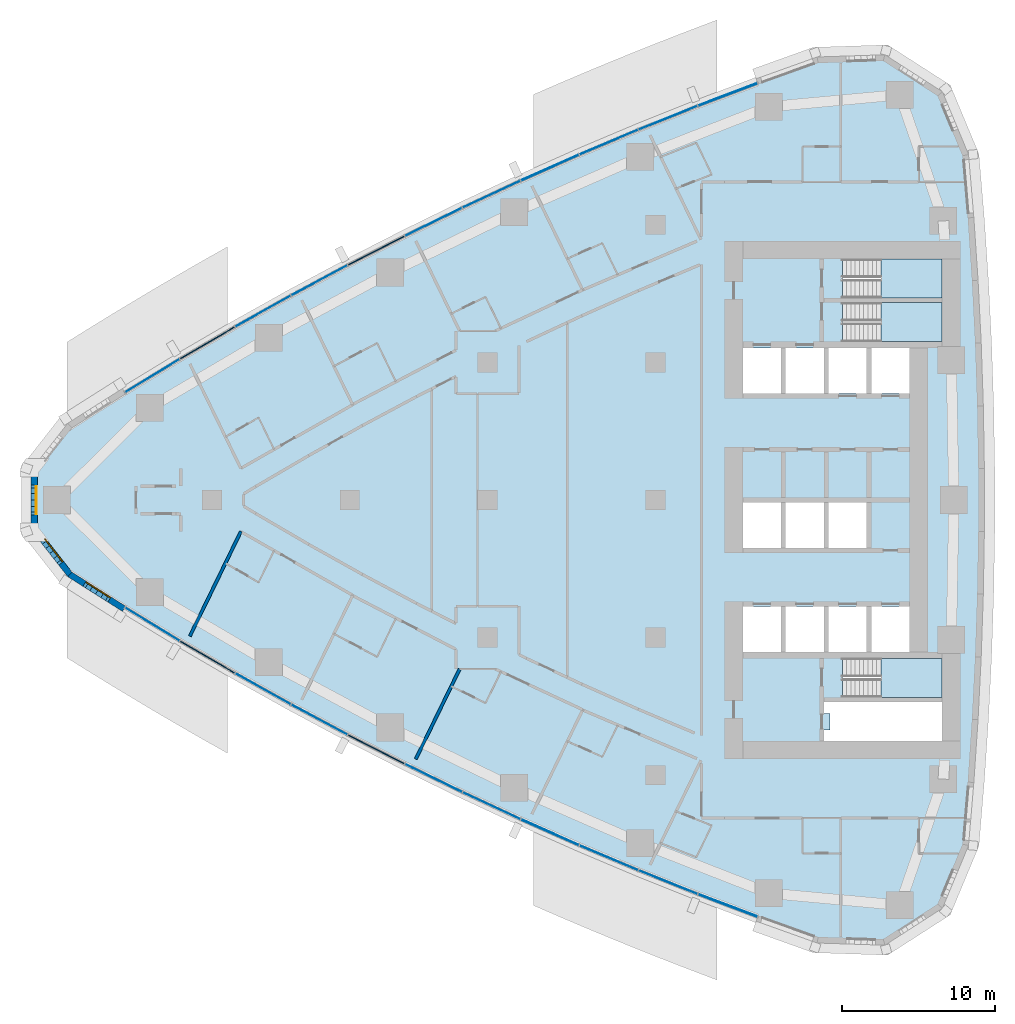
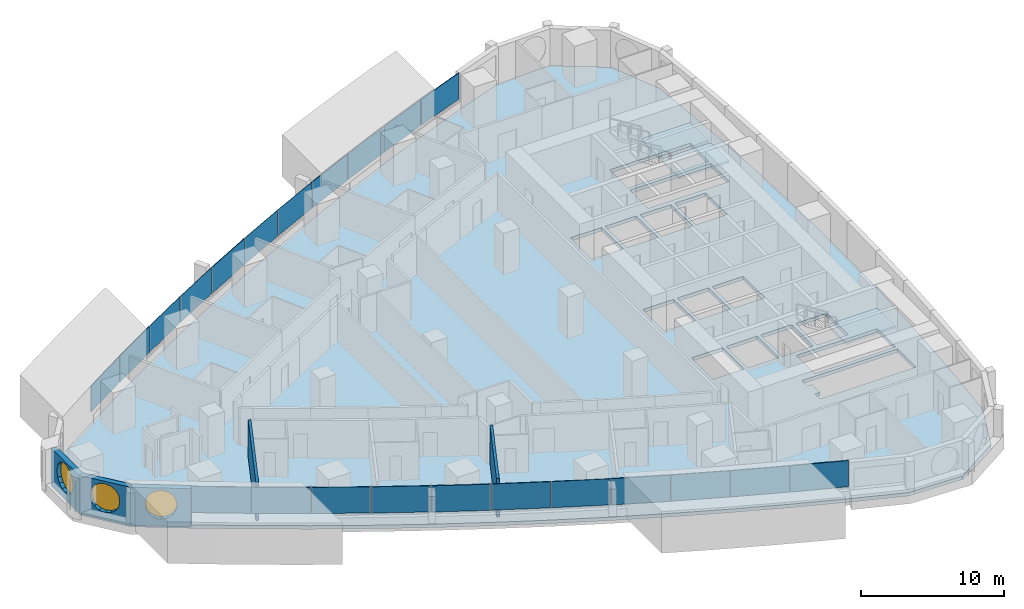
# One storey, part 8 of 19: 22 plates, 5 walls, 4 slabs, 3 windows, 4 openings, 13 elements without a shape of their own.
"""IFC4 building model written with IfcOpenShell, lengths in metres."""

from ifc_helpers import new_model, si_unit, direction, frame, frame_2d, origin, origin_2d, place, context, subcontext, project, spatial, polyline, rectangle, outline, extrude, material, layer, layer_set, type_object, element, fill, aggregate, save


model = new_model("IFC4")

# Units and contexts
model_context = context("Model", 3, precision=1e-05, world=origin(), true_north=direction((0.0, 1.0)))
body_context = subcontext(model_context, "Body", "Model", "MODEL_VIEW")
ifc_project = project(units=[si_unit("LENGTHUNIT", "METRE"), si_unit("AREAUNIT", "SQUARE_METRE"), si_unit("VOLUMEUNIT", "CUBIC_METRE"), si_unit("PLANEANGLEUNIT", "RADIAN"), si_unit("MASSUNIT", "GRAM", prefix="KILO")], contexts=[model_context])

# Site, building, storey
site_placement = place(None, origin())
site = spatial("IfcSite", under=ifc_project, at=site_placement, CompositionType="ELEMENT")
building_placement = place(site_placement, origin())
building = spatial("IfcBuilding", under=site, at=building_placement, Name="Ostrand Prow Hotel Tower", CompositionType="ELEMENT")
storey_placement = place(building_placement, frame((0.0, 0.0, 53.800048828125)))
storey = spatial("IfcBuildingStorey", under=building, at=storey_placement, Name="L11", CompositionType="ELEMENT", Elevation=53.800048828125)

# Curtain wall, plate
ifc_material_1 = material(Name="Insulated glass in bronze anodised frame", Category="glass")
ifc_layer_1 = layer(ifc_material_1, 0.199951171875)
ifc_layer_set_1 = layer_set([ifc_layer_1], Name="Insulated glass in bronze anodised frame")
curtain_wall_type = type_object("IfcCurtainWallType", Name="Strip curtain wall, fritted glass over bronze spandrel", PredefinedType="NOTDEFINED", material=ifc_layer_set_1)
curtain_wall_1_placement = place(storey_placement, origin())
curtain_wall_1 = element("IfcCurtainWall", 1, at=curtain_wall_1_placement, inside=storey, type_object=curtain_wall_type, Name="CW1 run CWS1", PredefinedType="NOTDEFINED")
ifc_material_2 = material(Name="Ceramic-fritted glass", Category="glass")
ifc_layer_2 = layer(ifc_material_2, 0.031982421875)
ifc_layer_set_2 = layer_set([ifc_layer_2], Name="Ceramic-fritted glass")
plate_type_1 = type_object("IfcPlateType", Name="Dot-fritted ceramic glass unit 32 mm", PredefinedType="CURTAIN_PANEL", material=ifc_layer_set_2)
plate_1_placement = place(storey_placement, frame((12.0859375, -8.12158203125, 1.02001953125), z_axis=(0.0, 0.0, 1.0), x_axis=(0.854269266322, -0.519830761515, 0.0)))
plate_1 = element("IfcPlate", 2, at=plate_1_placement, type_object=plate_type_1, Name="CW1 PN-D panel 1.2", PredefinedType="CURTAIN_PANEL", context=body_context, shape_type="SweptSolid", body=[
    extrude(rectangle(XDim=4.13427734375, YDim=0.031982421875, at=origin_2d()), origin(), (0.0, 0.0, 1.0), 2.22998046875),
])

# Curtain wall, plates
curtain_wall_2_placement = place(storey_placement, origin())
curtain_wall_2 = element("IfcCurtainWall", 3, at=curtain_wall_2_placement, inside=storey, type_object=curtain_wall_type, Name="CW1 run CWS2", PredefinedType="NOTDEFINED")
plate_2_placement = place(storey_placement, frame((19.33056640625, -12.349365234375, 1.02001953125), z_axis=(0.0, 0.0, 1.0), x_axis=(0.872819029241, -0.488043996167, 0.0)))
plate_2 = element("IfcPlate", 4, at=plate_2_placement, type_object=plate_type_1, Name="CW1 PN-D panel 1.2", PredefinedType="CURTAIN_PANEL", context=body_context, shape_type="SweptSolid", body=[
    extrude(rectangle(XDim=4.13427734375, YDim=0.031982421875, at=origin_2d()), origin(), (0.0, 0.0, 1.0), 2.22998046875),
])
plate_3_placement = place(storey_placement, frame((23.009765625, -14.362548828125, 1.02001953125), z_axis=(0.0, 0.0, 1.0), x_axis=(0.881652083929, -0.471899992481, 0.0)))
plate_3 = element("IfcPlate", 5, at=plate_3_placement, type_object=plate_type_1, Name="CW1 PN-D panel 2.2", PredefinedType="CURTAIN_PANEL", context=body_context, shape_type="SweptSolid", body=[
    extrude(rectangle(XDim=4.13427734375, YDim=0.031982421875, at=origin_2d()), origin(), (0.0, 0.0, 1.0), 2.22998046875),
])

curtain_wall_3_placement = place(storey_placement, origin())
curtain_wall_3 = element("IfcCurtainWall", 6, at=curtain_wall_3_placement, inside=storey, type_object=curtain_wall_type, Name="CW1 run CWS3", PredefinedType="NOTDEFINED")
plate_4_placement = place(storey_placement, frame((30.4765625, -18.183837890625, 1.02001953125), z_axis=(0.0, 0.0, 1.0), x_axis=(0.898419584131, -0.439138077204, 0.0)))
plate_4 = element("IfcPlate", 7, at=plate_4_placement, type_object=plate_type_1, Name="CW1 PN-D panel 1.2", PredefinedType="CURTAIN_PANEL", context=body_context, shape_type="SweptSolid", body=[
    extrude(rectangle(XDim=4.13427734375, YDim=0.031982421875, at=origin_2d()), origin(), (0.0, 0.0, 1.0), 2.22998046875),
])
plate_5_placement = place(storey_placement, frame((34.26123046875, -19.990966796875, 1.02001953125), z_axis=(0.0, 0.0, 1.0), x_axis=(0.906349088757, -0.422529678615, 0.0)))
plate_5 = element("IfcPlate", 8, at=plate_5_placement, type_object=plate_type_1, Name="CW1 PN-D panel 2.2", PredefinedType="CURTAIN_PANEL", context=body_context, shape_type="SweptSolid", body=[
    extrude(rectangle(XDim=4.13427734375, YDim=0.031982421875, at=origin_2d()), origin(), (0.0, 0.0, 1.0), 2.22998046875),
])
aggregate(curtain_wall_3, [plate_4, plate_5])

# Curtain wall, plate
curtain_wall_4_placement = place(storey_placement, origin())
curtain_wall_4 = element("IfcCurtainWall", 9, at=curtain_wall_4_placement, inside=storey, type_object=curtain_wall_type, Name="CW1 run CWS4", PredefinedType="NOTDEFINED")
plate_6_placement = place(storey_placement, frame((41.927490234375, -23.39453125, 1.02001953125), z_axis=(0.0, 0.0, 1.0), x_axis=(0.921283173987, -0.388892418709, 0.0)))
plate_6 = element("IfcPlate", 10, at=plate_6_placement, type_object=plate_type_1, Name="CW1 PN-D panel 2.2", PredefinedType="CURTAIN_PANEL", context=body_context, shape_type="SweptSolid", body=[
    extrude(rectangle(XDim=4.13427734375, YDim=0.031982421875, at=origin_2d()), origin(), (0.0, 0.0, 1.0), 2.22998046875),
])

curtain_wall_5_placement = place(storey_placement, origin())
curtain_wall_5 = element("IfcCurtainWall", 11, at=curtain_wall_5_placement, inside=storey, type_object=curtain_wall_type, Name="CW1 run CWS5", PredefinedType="NOTDEFINED")
plate_7_placement = place(storey_placement, frame((45.806396484375, -24.989990234375, 1.02001953125), z_axis=(0.0, 0.0, 1.0), x_axis=(0.928283463577, -0.371873380669, 0.0)))
plate_7 = element("IfcPlate", 12, at=plate_7_placement, type_object=plate_type_1, Name="CW1 PN-D panel 1.2", PredefinedType="CURTAIN_PANEL", context=body_context, shape_type="SweptSolid", body=[
    extrude(rectangle(XDim=4.13427734375, YDim=0.031982421875, at=origin_2d()), origin(), (0.0, 0.0, 1.0), 2.22998046875),
])

curtain_wall_6_placement = place(storey_placement, origin())
curtain_wall_6 = element("IfcCurtainWall", 13, at=curtain_wall_6_placement, inside=storey, type_object=curtain_wall_type, Name="CW1 run CWN1", PredefinedType="NOTDEFINED")
plate_8_placement = place(storey_placement, frame((45.806396484375, 24.989990234375, 1.02001953125), z_axis=(0.0, 0.0, 1.0), x_axis=(-0.928283463577, -0.371873380669, 0.0)))
plate_8 = element("IfcPlate", 14, at=plate_8_placement, type_object=plate_type_1, Name="CW1 PN-D panel 2.2", PredefinedType="CURTAIN_PANEL", context=body_context, shape_type="SweptSolid", body=[
    extrude(rectangle(XDim=4.13427734375, YDim=0.031982421875, at=origin_2d()), origin(), (0.0, 0.0, 1.0), 2.22998046875),
])

curtain_wall_7_placement = place(storey_placement, origin())
curtain_wall_7 = element("IfcCurtainWall", 15, at=curtain_wall_7_placement, inside=storey, type_object=curtain_wall_type, Name="CW1 run CWN2", PredefinedType="NOTDEFINED")
plate_9_placement = place(storey_placement, frame((41.927490234375, 23.39453125, 1.02001953125), z_axis=(0.0, 0.0, 1.0), x_axis=(-0.921283173987, -0.388892418709, 0.0)))
plate_9 = element("IfcPlate", 16, at=plate_9_placement, type_object=plate_type_1, Name="CW1 PN-D panel 1.2", PredefinedType="CURTAIN_PANEL", context=body_context, shape_type="SweptSolid", body=[
    extrude(rectangle(XDim=4.13427734375, YDim=0.031982421875, at=origin_2d()), origin(), (0.0, 0.0, 1.0), 2.22998046875),
])

# Curtain wall, plates
curtain_wall_8_placement = place(storey_placement, origin())
curtain_wall_8 = element("IfcCurtainWall", 17, at=curtain_wall_8_placement, inside=storey, type_object=curtain_wall_type, Name="CW1 run CWN3", PredefinedType="NOTDEFINED")
plate_10_placement = place(storey_placement, frame((34.26123046875, 19.990966796875, 1.02001953125), z_axis=(0.0, 0.0, 1.0), x_axis=(-0.906349088757, -0.422529678615, 0.0)))
plate_10 = element("IfcPlate", 18, at=plate_10_placement, type_object=plate_type_1, Name="CW1 PN-D panel 1.2", PredefinedType="CURTAIN_PANEL", context=body_context, shape_type="SweptSolid", body=[
    extrude(rectangle(XDim=4.13427734375, YDim=0.031982421875, at=origin_2d()), origin(), (0.0, 0.0, 1.0), 2.22998046875),
])
plate_11_placement = place(storey_placement, frame((30.4765625, 18.183837890625, 1.02001953125), z_axis=(0.0, 0.0, 1.0), x_axis=(-0.898419584131, -0.439138077204, 0.0)))
plate_11 = element("IfcPlate", 19, at=plate_11_placement, type_object=plate_type_1, Name="CW1 PN-D panel 2.2", PredefinedType="CURTAIN_PANEL", context=body_context, shape_type="SweptSolid", body=[
    extrude(rectangle(XDim=4.13427734375, YDim=0.031982421875, at=origin_2d()), origin(), (0.0, 0.0, 1.0), 2.22998046875),
])
aggregate(curtain_wall_8, [plate_10, plate_11])

curtain_wall_9_placement = place(storey_placement, origin())
curtain_wall_9 = element("IfcCurtainWall", 20, at=curtain_wall_9_placement, inside=storey, type_object=curtain_wall_type, Name="CW1 run CWN4", PredefinedType="NOTDEFINED")
plate_12_placement = place(storey_placement, frame((23.009765625, 14.362548828125, 1.02001953125), z_axis=(0.0, 0.0, 1.0), x_axis=(-0.881652083929, -0.471899992481, 0.0)))
plate_12 = element("IfcPlate", 21, at=plate_12_placement, type_object=plate_type_1, Name="CW1 PN-D panel 2.2", PredefinedType="CURTAIN_PANEL", context=body_context, shape_type="SweptSolid", body=[
    extrude(rectangle(XDim=4.13427734375, YDim=0.031982421875, at=origin_2d()), origin(), (0.0, 0.0, 1.0), 2.22998046875),
])
plate_13_placement = place(storey_placement, frame((19.33056640625, 12.349365234375, 1.02001953125), z_axis=(0.0, 0.0, 1.0), x_axis=(-0.872819029241, -0.488043996167, 0.0)))
plate_13 = element("IfcPlate", 22, at=plate_13_placement, type_object=plate_type_1, Name="CW1 PN-D panel 3.2", PredefinedType="CURTAIN_PANEL", context=body_context, shape_type="SweptSolid", body=[
    extrude(rectangle(XDim=4.13427734375, YDim=0.031982421875, at=origin_2d()), origin(), (0.0, 0.0, 1.0), 2.22998046875),
])

# Curtain wall, plate
curtain_wall_10_placement = place(storey_placement, origin())
curtain_wall_10 = element("IfcCurtainWall", 23, at=curtain_wall_10_placement, inside=storey, type_object=curtain_wall_type, Name="CW1 run CWN5", PredefinedType="NOTDEFINED")
plate_14_placement = place(storey_placement, frame((12.0859375, 8.12158203125, 1.02001953125), z_axis=(0.0, 0.0, 1.0), x_axis=(-0.854269266322, -0.519830761515, 0.0)))
plate_14 = element("IfcPlate", 24, at=plate_14_placement, type_object=plate_type_1, Name="CW1 PN-D panel 2.2", PredefinedType="CURTAIN_PANEL", context=body_context, shape_type="SweptSolid", body=[
    extrude(rectangle(XDim=4.13427734375, YDim=0.031982421875, at=origin_2d()), origin(), (0.0, 0.0, 1.0), 2.22998046875),
])

# Plate
ifc_material_3 = material(Name="Fritted glass in bronze vent frame", Category="glass")
ifc_layer_3 = layer(ifc_material_3, 0.06005859375)
ifc_layer_set_3 = layer_set([ifc_layer_3], Name="Fritted glass in bronze vent frame")
plate_type_2 = type_object("IfcPlateType", Name="Operable vent panel 60 mm", PredefinedType="CURTAIN_PANEL", material=ifc_layer_set_3)
plate_15_placement = place(storey_placement, frame((15.688720703125, -10.268798828125, 1.02001953125), z_axis=(0.0, 0.0, 1.0), x_axis=(0.863690392896, -0.50402272292, 0.0)))
plate_15 = element("IfcPlate", 25, at=plate_15_placement, type_object=plate_type_2, Name="CW1 PN-O panel 2.2", PredefinedType="CURTAIN_PANEL", context=body_context, shape_type="SweptSolid", body=[
    extrude(rectangle(XDim=4.13427734375, YDim=0.06005859375, at=origin_2d()), origin(), (0.0, 0.0, 1.0), 2.22998046875),
])

aggregate(curtain_wall_1, [plate_1, plate_15])

plate_16_placement = place(storey_placement, frame((26.7255859375, -16.3076171875, 1.02001953125), z_axis=(0.0, 0.0, 1.0), x_axis=(0.890186565631, -0.455596179055, 0.0)))
plate_16 = element("IfcPlate", 26, at=plate_16_placement, type_object=plate_type_2, Name="CW1 PN-O panel 3.2", PredefinedType="CURTAIN_PANEL", context=body_context, shape_type="SweptSolid", body=[
    extrude(rectangle(XDim=4.13427734375, YDim=0.06005859375, at=origin_2d()), origin(), (0.0, 0.0, 1.0), 2.22998046875),
])

aggregate(curtain_wall_2, [plate_2, plate_3, plate_16])

plate_17_placement = place(storey_placement, frame((38.078857421875, -21.72802734375, 1.02001953125), z_axis=(0.0, 0.0, 1.0), x_axis=(0.913970890274, -0.405779757666, 0.0)))
plate_17 = element("IfcPlate", 27, at=plate_17_placement, type_object=plate_type_2, Name="CW1 PN-O panel 1.2", PredefinedType="CURTAIN_PANEL", context=body_context, shape_type="SweptSolid", body=[
    extrude(rectangle(XDim=4.13427734375, YDim=0.06005859375, at=origin_2d()), origin(), (0.0, 0.0, 1.0), 2.22998046875),
])

aggregate(curtain_wall_4, [plate_17, plate_6])

plate_18_placement = place(storey_placement, frame((49.7138671875, -26.513671875, 1.02001953125), z_axis=(0.0, 0.0, 1.0), x_axis=(0.934969388384, -0.354728407072, 0.0)))
plate_18 = element("IfcPlate", 28, at=plate_18_placement, type_object=plate_type_2, Name="CW1 PN-O panel 2.2", PredefinedType="CURTAIN_PANEL", context=body_context, shape_type="SweptSolid", body=[
    extrude(rectangle(XDim=4.13427734375, YDim=0.06005859375, at=origin_2d()), origin(), (0.0, 0.0, 1.0), 2.22998046875),
])

aggregate(curtain_wall_5, [plate_7, plate_18])

plate_19_placement = place(storey_placement, frame((49.7138671875, 26.513671875, 1.02001953125), z_axis=(0.0, 0.0, 1.0), x_axis=(-0.934969388384, -0.354728407072, 0.0)))
plate_19 = element("IfcPlate", 29, at=plate_19_placement, type_object=plate_type_2, Name="CW1 PN-O panel 1.2", PredefinedType="CURTAIN_PANEL", context=body_context, shape_type="SweptSolid", body=[
    extrude(rectangle(XDim=4.13427734375, YDim=0.06005859375, at=origin_2d()), origin(), (0.0, 0.0, 1.0), 2.22998046875),
])

aggregate(curtain_wall_6, [plate_19, plate_8])

plate_20_placement = place(storey_placement, frame((38.078857421875, 21.72802734375, 1.02001953125), z_axis=(0.0, 0.0, 1.0), x_axis=(-0.913970890274, -0.405779757666, 0.0)))
plate_20 = element("IfcPlate", 30, at=plate_20_placement, type_object=plate_type_2, Name="CW1 PN-O panel 2.2", PredefinedType="CURTAIN_PANEL", context=body_context, shape_type="SweptSolid", body=[
    extrude(rectangle(XDim=4.13427734375, YDim=0.06005859375, at=origin_2d()), origin(), (0.0, 0.0, 1.0), 2.22998046875),
])

aggregate(curtain_wall_7, [plate_9, plate_20])

plate_21_placement = place(storey_placement, frame((26.7255859375, 16.3076171875, 1.02001953125), z_axis=(0.0, 0.0, 1.0), x_axis=(-0.890186565631, -0.455596179055, 0.0)))
plate_21 = element("IfcPlate", 31, at=plate_21_placement, type_object=plate_type_2, Name="CW1 PN-O panel 1.2", PredefinedType="CURTAIN_PANEL", context=body_context, shape_type="SweptSolid", body=[
    extrude(rectangle(XDim=4.13427734375, YDim=0.06005859375, at=origin_2d()), origin(), (0.0, 0.0, 1.0), 2.22998046875),
])

aggregate(curtain_wall_9, [plate_21, plate_12, plate_13])

plate_22_placement = place(storey_placement, frame((15.688720703125, 10.268798828125, 1.02001953125), z_axis=(0.0, 0.0, 1.0), x_axis=(-0.863690392896, -0.50402272292, 0.0)))
plate_22 = element("IfcPlate", 32, at=plate_22_placement, type_object=plate_type_2, Name="CW1 PN-O panel 1.2", PredefinedType="CURTAIN_PANEL", context=body_context, shape_type="SweptSolid", body=[
    extrude(rectangle(XDim=4.13427734375, YDim=0.06005859375, at=origin_2d()), origin(), (0.0, 0.0, 1.0), 2.22998046875),
])

aggregate(curtain_wall_10, [plate_22, plate_14])

# Slab, opening
ifc_material_4 = material(Name="Concrete C40/50", Category="concrete")
ifc_layer_4 = layer(ifc_material_4, 0.300048828125)
ifc_layer_set_4 = layer_set([ifc_layer_4], Name="Concrete C40/50")
slab_type_1 = type_object("IfcSlabType", Name="PT flat plate 300 C40/50", PredefinedType="FLOOR", material=ifc_layer_set_4)
slab_1_placement = place(storey_placement, frame((0.0, 0.0, -0.300048828125)))
slab_1 = element("IfcSlab", 33, at=slab_1_placement, inside=storey, type_object=slab_type_1, Name="Floor slab L11-1", PredefinedType="FLOOR", context=body_context, shape_type="SweptSolid", body=[
    extrude(outline(polyline([(6.690673828125, 4.805908203125), (10.26806640625, 7.073974609375), (13.851806640625, 9.2548828125), (17.47509765625, 11.369384765625), (21.136962890625, 13.416748046875), (24.83544921875, 15.396484375), (28.570068359375, 17.3076171875), (32.339111328125, 19.14990234375), (36.141357421875, 20.922607421875), (39.9755859375, 22.625), (43.840576171875, 24.25634765625), (47.73486328125, 25.81640625), (51.6572265625, 27.3046875), (55.64111328125, 28.73291015625), (59.92333984375, 28.873046875), (63.55908203125, 26.53369140625), (65.2060546875, 22.578369140625), (65.552978515625, 18.45166015625), (65.828369140625, 14.356689453125), (66.034912109375, 10.2578125), (66.172607421875, 6.15576171875), (66.241455078125, 2.052001953125), (66.241455078125, -2.052001953125), (66.172607421875, -6.15576171875), (66.034912109375, -10.2578125), (65.828369140625, -14.356689453125), (65.552978515625, -18.45166015625), (65.2060546875, -22.578369140625), (63.55908203125, -26.53369140625), (59.92333984375, -28.873046875), (55.64111328125, -28.73291015625), (51.6572265625, -27.3046875), (47.73486328125, -25.81640625), (43.840576171875, -24.25634765625), (39.9755859375, -22.625), (36.141357421875, -20.922607421875), (32.339111328125, -19.14990234375), (28.570068359375, -17.3076171875), (24.83544921875, -15.396484375), (21.136962890625, -13.416748046875), (17.47509765625, -11.369384765625), (13.851806640625, -9.2548828125), (10.26806640625, -7.073974609375), (6.690673828125, -4.805908203125), (4.399169921875, -1.8798828125), (4.399169921875, 1.8798828125), (6.690673828125, 4.805908203125)]), holes=[polyline([(50.699951171875, 6.949951171875), (53.199951171875, 6.949951171875), (53.199951171875, 9.949951171875), (50.699951171875, 9.949951171875), (50.699951171875, 6.949951171875)]), polyline([(53.5, 6.949951171875), (56.0, 6.949951171875), (56.0, 9.949951171875), (53.5, 9.949951171875), (53.5, 6.949951171875)]), polyline([(56.300048828125, 6.949951171875), (58.800048828125, 6.949951171875), (58.800048828125, 9.949951171875), (56.300048828125, 9.949951171875), (56.300048828125, 6.949951171875)]), polyline([(59.10009765625, 6.949951171875), (61.60009765625, 6.949951171875), (61.60009765625, 9.949951171875), (59.10009765625, 9.949951171875), (59.10009765625, 6.949951171875)]), polyline([(50.699951171875, -3.14990234375), (53.199951171875, -3.14990234375), (53.199951171875, -0.14990234375), (50.699951171875, -0.14990234375), (50.699951171875, -3.14990234375)]), polyline([(53.5, -3.14990234375), (56.0, -3.14990234375), (56.0, -0.14990234375), (53.5, -0.14990234375), (53.5, -3.14990234375)]), polyline([(56.300048828125, -3.14990234375), (58.800048828125, -3.14990234375), (58.800048828125, -0.14990234375), (56.300048828125, -0.14990234375), (56.300048828125, -3.14990234375)]), polyline([(50.699951171875, -9.949951171875), (53.199951171875, -9.949951171875), (53.199951171875, -6.949951171875), (50.699951171875, -6.949951171875), (50.699951171875, -9.949951171875)]), polyline([(53.5, -9.949951171875), (56.0, -9.949951171875), (56.0, -6.949951171875), (53.5, -6.949951171875), (53.5, -9.949951171875)]), polyline([(56.300048828125, -9.949951171875), (58.800048828125, -9.949951171875), (58.800048828125, -6.949951171875), (56.300048828125, -6.949951171875), (56.300048828125, -9.949951171875)]), polyline([(59.10009765625, -9.949951171875), (61.60009765625, -9.949951171875), (61.60009765625, -6.949951171875), (59.10009765625, -6.949951171875), (59.10009765625, -9.949951171875)]), polyline([(57.200927734375, 10.35107421875), (57.200927734375, 12.89892578125), (63.718994140625, 12.89892578125), (63.718994140625, 10.35107421875), (57.200927734375, 10.35107421875)]), polyline([(57.200927734375, 13.200927734375), (57.200927734375, 15.7490234375), (63.718994140625, 15.7490234375), (63.718994140625, 13.200927734375), (57.200927734375, 13.200927734375)]), polyline([(57.200927734375, -12.89892578125), (57.200927734375, -10.35107421875), (63.718994140625, -10.35107421875), (63.718994140625, -12.89892578125), (57.200927734375, -12.89892578125)]), polyline([(56.0, -13.199951171875), (63.719970703125, -13.199951171875), (63.719970703125, -15.75), (56.0, -15.75), (56.0, -15.050048828125), (56.39990234375, -15.050048828125), (56.39990234375, -13.949951171875), (56.0, -13.949951171875), (56.0, -13.199951171875)])]), origin(), (0.0, 0.0, 1.0), 0.300048828125),
])
opening_1_placement = place(slab_1_placement, origin())
element("IfcOpeningElement", 34, at=opening_1_placement, cuts=slab_1, Name="Shaft opening 1", PredefinedType="OPENING", context=body_context, shape_type="SweptSolid", body=[
    extrude(outline(polyline([(56.0, -13.199951171875), (63.719970703125, -13.199951171875), (63.719970703125, -15.75), (56.0, -15.75), (56.0, -15.050048828125), (56.39990234375, -15.050048828125), (56.39990234375, -13.949951171875), (56.0, -13.949951171875), (56.0, -13.199951171875)])), origin(), (0.0, 0.0, 1.0), 0.300048828125),
])

# Stair, slab
ifc_material_5 = material(Name="Concrete C40/50", Category="concrete")
stair_type = type_object("IfcStairType", Name="Exit stair 1200 upper zone", PredefinedType="HALF_TURN_STAIR", material=ifc_material_5)
stair_1_placement = place(storey_placement, origin())
stair_1 = element("IfcStair", 35, at=stair_1_placement, inside=storey, type_object=stair_type, Name="L11 ST1C", PredefinedType="HALF_TURN_STAIR")
ifc_material_6 = material(Name="Concrete C40/50", Category="concrete")
ifc_layer_5 = layer(ifc_material_6, 0.199951171875)
ifc_layer_set_5 = layer_set([ifc_layer_5], Name="Concrete C40/50")
slab_type_2 = type_object("IfcSlabType", Name="Stair landing 200 concrete", PredefinedType="LANDING", material=ifc_layer_set_5)
slab_2_placement = place(storey_placement, frame((0.0, 0.0, 1.574951171875)))
slab_2 = element("IfcSlab", 36, at=slab_2_placement, type_object=slab_type_2, Name="ST1C landing 1", PredefinedType="LANDING", context=body_context, shape_type="SweptSolid", body=[
    extrude(outline(polyline([(59.719970703125, 10.35009765625), (63.719970703125, 10.35009765625), (63.719970703125, 12.89990234375), (59.719970703125, 12.89990234375), (59.719970703125, 10.35009765625)])), origin(), (0.0, 0.0, 1.0), 0.199951171875),
])
aggregate(stair_1, [slab_2])

stair_2_placement = place(storey_placement, origin())
stair_2 = element("IfcStair", 37, at=stair_2_placement, inside=storey, type_object=stair_type, Name="L11 ST3C", PredefinedType="HALF_TURN_STAIR")
slab_3_placement = place(storey_placement, frame((0.0, 0.0, 1.574951171875)))
slab_3 = element("IfcSlab", 38, at=slab_3_placement, type_object=slab_type_2, Name="ST3C landing 1", PredefinedType="LANDING", context=body_context, shape_type="SweptSolid", body=[
    extrude(outline(polyline([(59.719970703125, 13.199951171875), (63.719970703125, 13.199951171875), (63.719970703125, 15.75), (59.719970703125, 15.75), (59.719970703125, 13.199951171875)])), origin(), (0.0, 0.0, 1.0), 0.199951171875),
])
aggregate(stair_2, [slab_3])

stair_3_placement = place(storey_placement, origin())
stair_3 = element("IfcStair", 39, at=stair_3_placement, inside=storey, type_object=stair_type, Name="L11 ST2C", PredefinedType="HALF_TURN_STAIR")
slab_4_placement = place(storey_placement, frame((0.0, 0.0, 1.574951171875)))
slab_4 = element("IfcSlab", 40, at=slab_4_placement, type_object=slab_type_2, Name="ST2C landing 1", PredefinedType="LANDING", context=body_context, shape_type="SweptSolid", body=[
    extrude(outline(polyline([(59.719970703125, -12.89990234375), (63.719970703125, -12.89990234375), (63.719970703125, -10.35009765625), (59.719970703125, -10.35009765625), (59.719970703125, -12.89990234375)])), origin(), (0.0, 0.0, 1.0), 0.199951171875),
])
aggregate(stair_3, [slab_4])

# Walls
ifc_material_7 = material(Name="Plasterboard partition")
ifc_layer_6 = layer(ifc_material_7, 0.199951171875)
ifc_layer_set_6 = layer_set([ifc_layer_6], Name="Plasterboard partition")
wall_type_1 = type_object("IfcWallType", Name="Partition 200 key partition", PredefinedType="PARTITIONING", material=ifc_layer_set_6)
wall_1_placement = place(storey_placement, frame((14.540771484375, -8.904296875, 0.0), z_axis=(0.0, 0.0, 1.0), x_axis=(0.438213564788, 0.898870887078, 0.0)))
element("IfcWall", 41, at=wall_1_placement, inside=storey, type_object=wall_type_1, Name="KEY PARTITION", PredefinedType="PARTITIONING", context=body_context, shape_type="SweptSolid", body=[
    extrude(rectangle(XDim=7.62548828125, YDim=0.199951171875, at=frame_2d((3.812744140625, 0.0))), origin(), (0.0, 0.0, 1.0), 3.25),
])
wall_2_placement = place(storey_placement, frame((29.310302734375, -16.946044921875, 0.0), z_axis=(0.0, 0.0, 1.0), x_axis=(0.438228560869, 0.898863576099, 0.0)))
element("IfcWall", 42, at=wall_2_placement, inside=storey, type_object=wall_type_1, Name="KEY PARTITION", PredefinedType="PARTITIONING", context=body_context, shape_type="SweptSolid", body=[
    extrude(rectangle(XDim=6.559326171875, YDim=0.199951171875, at=frame_2d((3.27978515625, 0.0))), origin(), (0.0, 0.0, 1.0), 3.25),
])

# Wall, opening, window
ifc_material_8 = material(Name="Precast concrete C40/50", Category="concrete")
ifc_layer_7 = layer(ifc_material_8, 0.39990234375)
ifc_layer_set_7 = layer_set([ifc_layer_7], Name="Precast concrete C40/50")
wall_type_2 = type_object("IfcWallType", Name="Stone-faced precast wall 400 mm", PredefinedType="NOTDEFINED", material=ifc_layer_set_7)
wall_3_placement = place(storey_placement, frame((4.365478515625, 1.891357421875, 0.0), z_axis=(0.0, 0.0, 1.0), x_axis=(0.0, -1.0, 0.0)))
wall_3 = element("IfcWall", 43, at=wall_3_placement, inside=storey, type_object=wall_type_2, Name="Stone-faced wall prow 3", PredefinedType="NOTDEFINED", context=body_context, shape_type="SweptSolid", body=[
    extrude(outline(polyline([(-0.069091796875, -0.199951171875), (3.851806640625, -0.199951171875), (3.713623046875, 0.199951171875), (0.069091796875, 0.199951171875), (-0.069091796875, -0.199951171875)])), origin(), (0.0, 0.0, 1.0), 3.25),
])
opening_2_placement = place(wall_3_placement, frame((0.79150390625, 0.0, 0.60009765625)))
opening_2 = element("IfcOpeningElement", 44, at=opening_2_placement, cuts=wall_3, Name="Opening WP1", PredefinedType="OPENING", context=body_context, shape_type="SweptSolid", body=[
    extrude(outline(polyline([(0.0, 1.35009765625), (0.083740234375, 1.77099609375), (0.322265625, 2.127685546875), (0.678955078125, 2.3662109375), (1.10009765625, 2.449951171875), (1.52099609375, 2.3662109375), (1.877685546875, 2.127685546875), (2.1162109375, 1.77099609375), (2.199951171875, 1.35009765625), (2.199951171875, 1.10009765625), (2.1162109375, 0.678955078125), (1.877685546875, 0.322265625), (1.52099609375, 0.083740234375), (1.10009765625, 0.0), (0.678955078125, 0.083740234375), (0.322265625, 0.322265625), (0.083740234375, 0.678955078125), (0.0, 1.099853515625), (0.0, 1.35009765625)])), frame((0.0, 0.2099609375, 0.0), z_axis=(0.0, -1.0, 0.0), x_axis=(1.0, 0.0, 0.0)), (0.0, 0.0, 1.0), 0.419921875),
])
ifc_material_9 = material(Name="Insulated glass in bronze frame", Category="glass")
window_type = type_object("IfcWindowType", Name="Round-ended prow window 2200x2450", PartitioningType="SINGLE_PANEL", PredefinedType="WINDOW", material=ifc_material_9)
window_1_placement = place(opening_2_placement, origin())
window_1 = element("IfcWindow", 45, at=window_1_placement, inside=storey, type_object=window_type, Name="Window prow 3.1", OverallHeight=2.449951171875, OverallWidth=2.199951171875, PartitioningType="SINGLE_PANEL", PredefinedType="WINDOW", context=body_context, shape_type="SweptSolid", body=[
    extrude(outline(polyline([(0.0, 1.35009765625), (0.083740234375, 1.77099609375), (0.322265625, 2.127685546875), (0.678955078125, 2.3662109375), (1.10009765625, 2.449951171875), (1.52099609375, 2.3662109375), (1.877685546875, 2.127685546875), (2.1162109375, 1.77099609375), (2.199951171875, 1.35009765625), (2.199951171875, 1.10009765625), (2.1162109375, 0.678955078125), (1.877685546875, 0.322265625), (1.52099609375, 0.083740234375), (1.10009765625, 0.0), (0.678955078125, 0.083740234375), (0.322265625, 0.322265625), (0.083740234375, 0.678955078125), (0.0, 1.099853515625), (0.0, 1.35009765625)])), frame((0.0, 0.169921875, 0.0), z_axis=(0.0, -1.0, 0.0), x_axis=(1.0, 0.0, 0.0)), (0.0, 0.0, 1.0), 0.06005859375),
])
fill(opening_2, window_1)

wall_4_placement = place(storey_placement, frame((4.365478515625, -1.891357421875, 0.0), z_axis=(0.0, 0.0, 1.0), x_axis=(0.616586647779, -0.787287054245, 0.0)))
wall_4 = element("IfcWall", 46, at=wall_4_placement, inside=storey, type_object=wall_type_2, Name="Stone-faced wall prow 4", PredefinedType="NOTDEFINED", context=body_context, shape_type="SweptSolid", body=[
    extrude(outline(polyline([(-0.069091796875, -0.199951171875), (3.8173828125, -0.199951171875), (3.74853515625, 0.199951171875), (0.069091796875, 0.199951171875), (-0.069091796875, -0.199951171875)])), origin(), (0.0, 0.0, 1.0), 3.25),
])
opening_3_placement = place(wall_4_placement, frame((0.79150390625, 0.0, 0.60009765625)))
opening_3 = element("IfcOpeningElement", 47, at=opening_3_placement, cuts=wall_4, Name="Opening WP1", PredefinedType="OPENING", context=body_context, shape_type="SweptSolid", body=[
    extrude(outline(polyline([(0.0, 1.35009765625), (0.083740234375, 1.77099609375), (0.322265625, 2.127685546875), (0.678955078125, 2.3662109375), (1.10009765625, 2.449951171875), (1.52099609375, 2.3662109375), (1.877685546875, 2.127685546875), (2.1162109375, 1.77099609375), (2.199951171875, 1.35009765625), (2.199951171875, 1.10009765625), (2.1162109375, 0.678955078125), (1.877685546875, 0.322265625), (1.52099609375, 0.083740234375), (1.10009765625, 0.0), (0.678955078125, 0.083740234375), (0.322265625, 0.322265625), (0.083740234375, 0.678955078125), (0.0, 1.099853515625), (0.0, 1.35009765625)])), frame((0.0, 0.2099609375, 0.0), z_axis=(0.0, -1.0, 0.0), x_axis=(1.0, 0.0, 0.0)), (0.0, 0.0, 1.0), 0.419921875),
])
window_2_placement = place(opening_3_placement, origin())
window_2 = element("IfcWindow", 48, at=window_2_placement, inside=storey, type_object=window_type, Name="Window prow 4.1", OverallHeight=2.449951171875, OverallWidth=2.199951171875, PartitioningType="SINGLE_PANEL", PredefinedType="WINDOW", context=body_context, shape_type="SweptSolid", body=[
    extrude(outline(polyline([(0.0, 1.35009765625), (0.083740234375, 1.77099609375), (0.322265625, 2.127685546875), (0.678955078125, 2.3662109375), (1.10009765625, 2.449951171875), (1.52099609375, 2.3662109375), (1.877685546875, 2.127685546875), (2.1162109375, 1.77099609375), (2.199951171875, 1.35009765625), (2.199951171875, 1.10009765625), (2.1162109375, 0.678955078125), (1.877685546875, 0.322265625), (1.52099609375, 0.083740234375), (1.10009765625, 0.0), (0.678955078125, 0.083740234375), (0.322265625, 0.322265625), (0.083740234375, 0.678955078125), (0.0, 1.099853515625), (0.0, 1.35009765625)])), frame((0.0, 0.169921875, 0.0), z_axis=(0.0, -1.0, 0.0), x_axis=(1.0, 0.0, 0.0)), (0.0, 0.0, 1.0), 0.06005859375),
])
fill(opening_3, window_2)

wall_5_placement = place(storey_placement, frame((6.697998046875, -4.86962890625, 0.0), z_axis=(0.0, 0.0, 1.0), x_axis=(0.844551578623, -0.535474211372, 0.0)))
wall_5 = element("IfcWall", 49, at=wall_5_placement, inside=storey, type_object=wall_type_2, Name="Stone-faced wall prow 5", PredefinedType="NOTDEFINED", context=body_context, shape_type="SweptSolid", body=[
    extrude(outline(polyline([(-0.034423828125, -0.199951171875), (4.196044921875, -0.199951171875), (4.196044921875, 0.199951171875), (0.034423828125, 0.199951171875), (-0.034423828125, -0.199951171875)])), origin(), (0.0, 0.0, 1.0), 3.25),
])
opening_4_placement = place(wall_5_placement, frame((0.998046875, 0.0, 0.60009765625)))
opening_4 = element("IfcOpeningElement", 50, at=opening_4_placement, cuts=wall_5, Name="Opening WP1", PredefinedType="OPENING", context=body_context, shape_type="SweptSolid", body=[
    extrude(outline(polyline([(0.0, 1.35009765625), (0.083740234375, 1.77099609375), (0.322265625, 2.127685546875), (0.678955078125, 2.3662109375), (1.10009765625, 2.449951171875), (1.52099609375, 2.3662109375), (1.877685546875, 2.127685546875), (2.1162109375, 1.77099609375), (2.199951171875, 1.35009765625), (2.199951171875, 1.10009765625), (2.1162109375, 0.678955078125), (1.877685546875, 0.322265625), (1.52099609375, 0.083740234375), (1.10009765625, 0.0), (0.678955078125, 0.083740234375), (0.322265625, 0.322265625), (0.083740234375, 0.678955078125), (0.0, 1.099853515625), (0.0, 1.35009765625)])), frame((0.0, 0.2099609375, 0.0), z_axis=(0.0, -1.0, 0.0), x_axis=(1.0, 0.0, 0.0)), (0.0, 0.0, 1.0), 0.419921875),
])
window_3_placement = place(opening_4_placement, origin())
window_3 = element("IfcWindow", 51, at=window_3_placement, inside=storey, type_object=window_type, Name="Window prow 5.1", OverallHeight=2.449951171875, OverallWidth=2.199951171875, PartitioningType="SINGLE_PANEL", PredefinedType="WINDOW", context=body_context, shape_type="SweptSolid", body=[
    extrude(outline(polyline([(0.0, 1.35009765625), (0.083740234375, 1.77099609375), (0.322265625, 2.127685546875), (0.678955078125, 2.3662109375), (1.10009765625, 2.449951171875), (1.52099609375, 2.3662109375), (1.877685546875, 2.127685546875), (2.1162109375, 1.77099609375), (2.199951171875, 1.35009765625), (2.199951171875, 1.10009765625), (2.1162109375, 0.678955078125), (1.877685546875, 0.322265625), (1.52099609375, 0.083740234375), (1.10009765625, 0.0), (0.678955078125, 0.083740234375), (0.322265625, 0.322265625), (0.083740234375, 0.678955078125), (0.0, 1.099853515625), (0.0, 1.35009765625)])), frame((0.0, 0.169921875, 0.0), z_axis=(0.0, -1.0, 0.0), x_axis=(1.0, 0.0, 0.0)), (0.0, 0.0, 1.0), 0.06005859375),
])
fill(opening_4, window_3)

save(model, "model.ifc")
